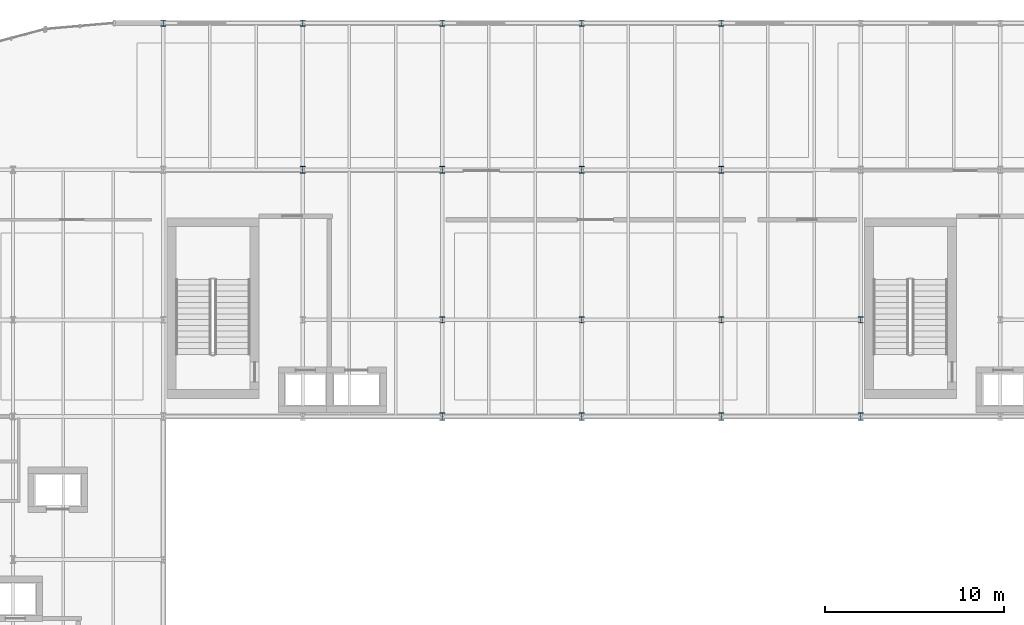
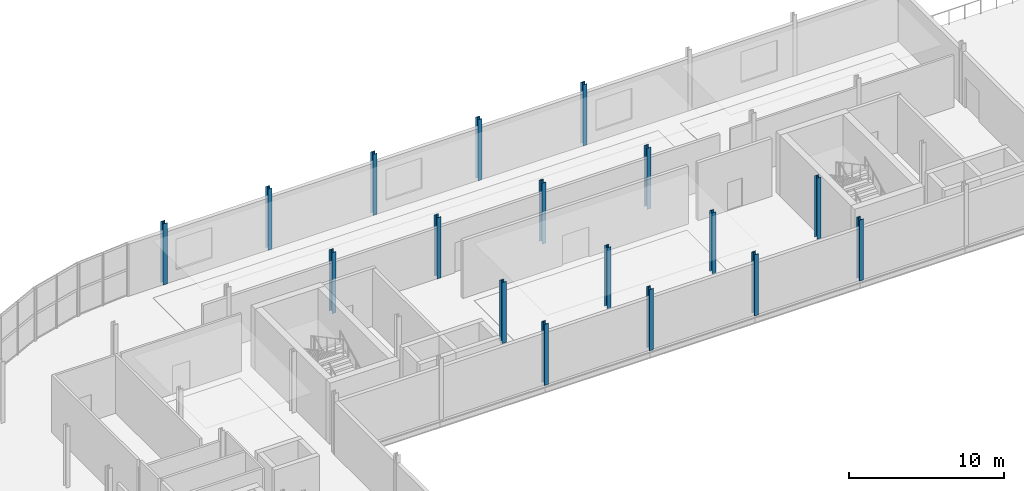
# One storey, part 2 of 15: 17 columns.
"""IFC4 building model written with IfcOpenShell, lengths in metres."""

from ifc_helpers import new_model, si_unit, direction, frame, origin, origin_2d, place, context, subcontext, project, spatial, i_section, extrude, material, material_profile, profile_set, type_object, element, save


model = new_model("IFC4")

# Units and contexts
model_context = context("Model", 3, precision=1e-05, world=origin(), true_north=direction((0.0, 1.0)))
body_context = subcontext(model_context, "Body", "Model", "MODEL_VIEW")
ifc_project = project(units=[si_unit("LENGTHUNIT", "METRE"), si_unit("AREAUNIT", "SQUARE_METRE"), si_unit("VOLUMEUNIT", "CUBIC_METRE"), si_unit("PLANEANGLEUNIT", "RADIAN"), si_unit("MASSUNIT", "GRAM", prefix="KILO")], contexts=[model_context])

# Site, building, storey
site_placement = place(None, origin())
site = spatial("IfcSite", under=ifc_project, at=site_placement, CompositionType="ELEMENT")
building_placement = place(site_placement, origin())
building = spatial("IfcBuilding", under=site, at=building_placement, Name="Sefraquen Railside Congress Hotel", CompositionType="ELEMENT")
storey_placement = place(building_placement, frame((0.0, 0.0, 46.800048828125)))
storey = spatial("IfcBuildingStorey", under=building, at=storey_placement, Name="L11", CompositionType="ELEMENT", Elevation=46.800048828125)

# Columns
ifc_material = material(Name="Steel S355JR", Category="steel")
ifc_material_profile_1 = material_profile(ifc_material, i_section(OverallWidth=0.300048828125, OverallDepth=0.340087890625, WebThickness=0.011962890625, FlangeThickness=0.021484375, FilletRadius=0.027099609375, at=origin_2d()), Name="HEB 340")
ifc_profile_set_1 = profile_set([ifc_material_profile_1], Name="Steel S355JR")
column_type_1 = type_object("IfcColumnType", Name="TC-HEB-340", PredefinedType="COLUMN", material=ifc_profile_set_1)
for number, where, z_axis, x_axis, name in (
    (1, (25.199951171875, 118.0, 0.0), (0.0, 0.0, 1.0), (1.0, 0.0, 0.0), "Structural column 4-Q L11"),
    (2, (33.0, 118.0, 0.0), (0.0, 0.0, 1.0), (1.0, 0.0, 0.0), "Structural column 5-Q L11"),
    (3, (40.800048828125, 101.39990234375, 0.0), (0.0, 0.0, 1.0), (1.0, 0.0, 0.0), "Structural column 6-N L11"),
    (4, (40.800048828125, 118.0, 0.0), (0.0, 0.0, 1.0), (1.0, 0.0, 0.0), "Structural column 6-Q L11"),
    (5, (48.60009765625, 101.39990234375, 0.0), (0.0, 0.0, 1.0), (1.0, 0.0, 0.0), "Structural column 7-N L11"),
    (6, (48.60009765625, 118.0, 0.0), (0.0, 0.0, 1.0), (1.0, 0.0, 0.0), "Structural column 7-Q L11"),
    (7, (56.39990234375, 101.39990234375, 0.0), (0.0, 0.0, 1.0), (1.0, 0.0, 0.0), "Structural column 8-N L11"),
    (8, (56.39990234375, 118.0, 0.0), (0.0, 0.0, 1.0), (1.0, 0.0, 0.0), "Structural column 8-Q L11"),
    (9, (64.199951171875, 101.39990234375, 0.0), (0.0, 0.0, 1.0), (1.0, 0.0, 0.0), "Structural column 9-N L11"),
):
    element("IfcColumn", number, at=place(storey_placement, frame(where, z_axis=z_axis, x_axis=x_axis)), inside=storey, type_object=column_type_1, Name=name, PredefinedType="COLUMN", context=body_context, shape_type="SweptSolid", body=[
        extrude(i_section(OverallWidth=0.300048828125, OverallDepth=0.340087890625, WebThickness=0.011962890625, FlangeThickness=0.021484375, FilletRadius=0.027099609375, at=origin_2d()), origin(), (0.0, 0.0, 1.0), 4.800048828125),
    ])
ifc_material_profile_2 = material_profile(ifc_material, i_section(OverallWidth=0.300048828125, OverallDepth=0.39990234375, WebThickness=0.013427734375, FlangeThickness=0.02392578125, FilletRadius=0.027099609375, at=origin_2d()), Name="HEB 400")
ifc_profile_set_2 = profile_set([ifc_material_profile_2], Name="Steel S355JR")
column_type_2 = type_object("IfcColumnType", Name="TC-HEB-400", PredefinedType="COLUMN", material=ifc_profile_set_2)
for number, where, z_axis, x_axis, name in (
    (10, (33.0, 109.800048828125, 0.0), (0.0, 0.0, 1.0), (1.0, 0.0, 0.0), "Structural column 5-P L11"),
    (11, (40.800048828125, 96.0, 0.0), (0.0, 0.0, 1.0), (1.0, 0.0, 0.0), "Structural column 6-M L11"),
    (12, (40.800048828125, 109.800048828125, 0.0), (0.0, 0.0, 1.0), (1.0, 0.0, 0.0), "Structural column 6-P L11"),
    (13, (48.60009765625, 96.0, 0.0), (0.0, 0.0, 1.0), (1.0, 0.0, 0.0), "Structural column 7-M L11"),
    (14, (48.60009765625, 109.800048828125, 0.0), (0.0, 0.0, 1.0), (1.0, 0.0, 0.0), "Structural column 7-P L11"),
    (15, (56.39990234375, 96.0, 0.0), (0.0, 0.0, 1.0), (1.0, 0.0, 0.0), "Structural column 8-M L11"),
    (16, (56.39990234375, 109.800048828125, 0.0), (0.0, 0.0, 1.0), (1.0, 0.0, 0.0), "Structural column 8-P L11"),
    (17, (64.199951171875, 96.0, 0.0), (0.0, 0.0, 1.0), (1.0, 0.0, 0.0), "Structural column 9-M L11"),
):
    element("IfcColumn", number, at=place(storey_placement, frame(where, z_axis=z_axis, x_axis=x_axis)), inside=storey, type_object=column_type_2, Name=name, PredefinedType="COLUMN", context=body_context, shape_type="SweptSolid", body=[
        extrude(i_section(OverallWidth=0.300048828125, OverallDepth=0.39990234375, WebThickness=0.013427734375, FlangeThickness=0.02392578125, FilletRadius=0.027099609375, at=origin_2d()), origin(), (0.0, 0.0, 1.0), 4.800048828125),
    ])

save(model, "model.ifc")
